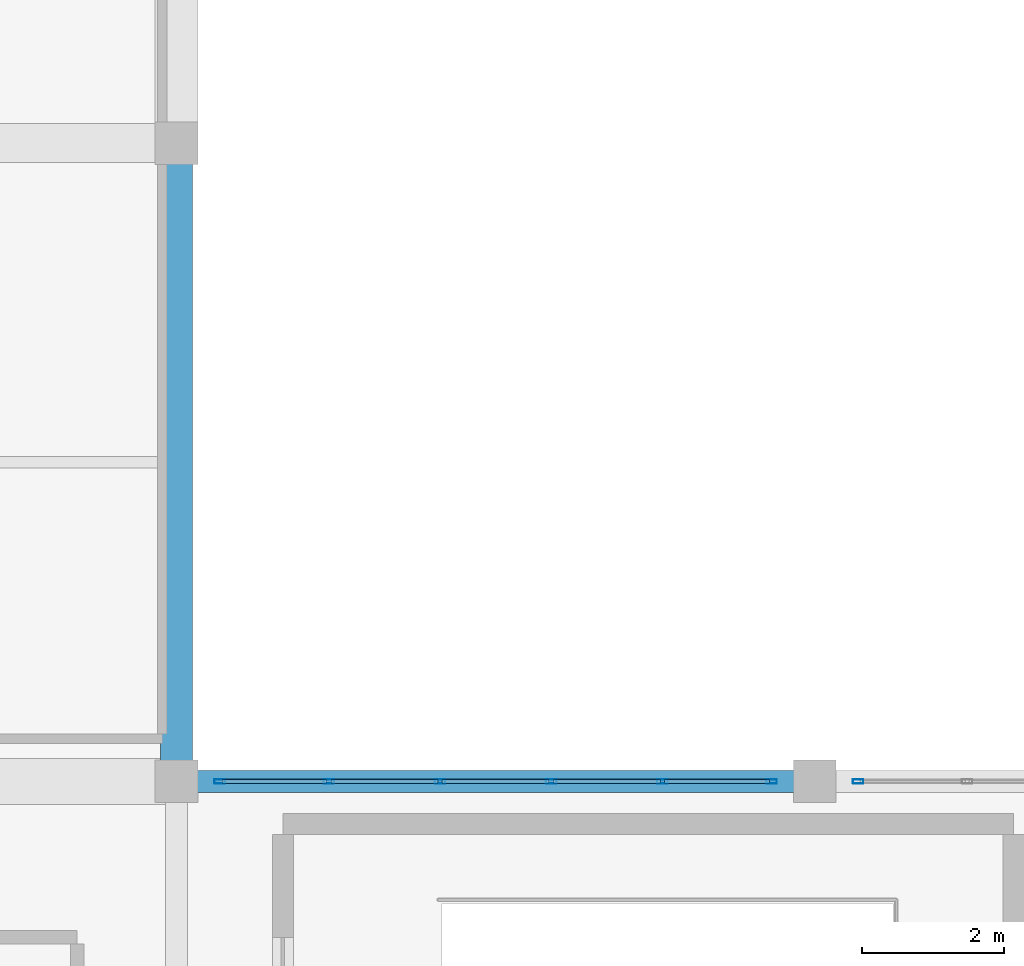
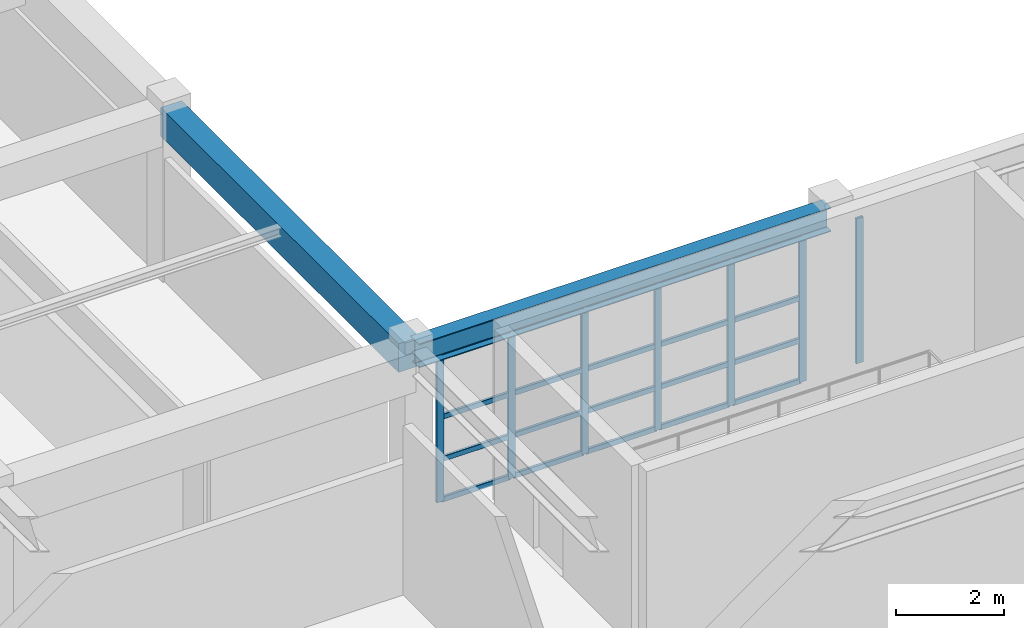
# One storey, part 41 of 130: 27 members, 2 beams, 2 elements without a shape of their own.
"""IFC4 building model written with IfcOpenShell, lengths in metres."""

from ifc_helpers import new_model, si_unit, direction, frame, origin, origin_2d, place, context, subcontext, project, spatial, rectangle, hollow_rectangle, i_section, extrude, material, material_profile, profile_set, type_object, element, aggregate, save


model = new_model("IFC4")

# Units and contexts
model_context = context("Model", 3, precision=1e-05, world=origin(), true_north=direction((0.0, 1.0)))
body_context = subcontext(model_context, "Body", "Model", "MODEL_VIEW")
ifc_project = project(units=[si_unit("LENGTHUNIT", "METRE"), si_unit("AREAUNIT", "SQUARE_METRE"), si_unit("VOLUMEUNIT", "CUBIC_METRE"), si_unit("PLANEANGLEUNIT", "RADIAN"), si_unit("MASSUNIT", "GRAM", prefix="KILO")], contexts=[model_context])

# Site, building, storey
site_placement = place(None, origin())
site = spatial("IfcSite", under=ifc_project, at=site_placement, CompositionType="ELEMENT")
building_placement = place(site_placement, origin())
building = spatial("IfcBuilding", under=site, at=building_placement, Name="Miravela Opera House", CompositionType="ELEMENT")
storey_placement = place(building_placement, frame((0.0, 0.0, 9.52001953125)))
storey = spatial("IfcBuildingStorey", under=building, at=storey_placement, Name="L02", CompositionType="ELEMENT", Elevation=9.52001953125)

# Curtain wall, members
ifc_material_1 = material(Name="Anodised architectural bronze aluminium 6063-T6", Category="aluminium")
curtain_wall_type = type_object("IfcCurtainWallType", Name="ARC-CW-06", PredefinedType="NOTDEFINED", material=ifc_material_1)
curtain_wall_1_placement = place(storey_placement, origin())
curtain_wall_1 = element("IfcCurtainWall", 1, at=curtain_wall_1_placement, inside=storey, type_object=curtain_wall_type, Name="Courtyard Arcade Curtain Wall CW-L02-183", PredefinedType="NOTDEFINED")
ifc_material_profile_1 = material_profile(ifc_material_1, hollow_rectangle(XDim=0.06005859375, YDim=0.14990234375, WallThickness=0.00390625, InnerFilletRadius=0.001953125, OuterFilletRadius=0.00390625, at=origin_2d()), Name="CWM-60X150")
ifc_profile_set_1 = profile_set([ifc_material_profile_1])
member_type_1 = type_object("IfcMemberType", Name="ARC-CWM-150", PredefinedType="MULLION", material=ifc_profile_set_1)
member_1_placement = place(storey_placement, frame((117.610107421875, 9.0, 0.0), z_axis=(0.0, 0.0, 1.0), x_axis=(0.0, 1.0, 0.0)))
member_1 = element("IfcMember", 2, at=member_1_placement, type_object=member_type_1, Name="CW-06 mullion 1", PredefinedType="MULLION", context=body_context, shape_type="SweptSolid", body=[
    extrude(hollow_rectangle(XDim=0.06005859375, YDim=0.14990234375, WallThickness=0.00390625, InnerFilletRadius=0.001953125, OuterFilletRadius=0.00390625, at=origin_2d()), origin(), (0.0, 0.0, 1.0), 3.2900390625),
])
member_2_placement = place(storey_placement, frame((119.14794921875, 9.0, 0.0), z_axis=(0.0, 0.0, 1.0), x_axis=(0.0, 1.0, 0.0)))
member_2 = element("IfcMember", 3, at=member_2_placement, type_object=member_type_1, Name="CW-06 mullion 2", PredefinedType="MULLION", context=body_context, shape_type="SweptSolid", body=[
    extrude(hollow_rectangle(XDim=0.06005859375, YDim=0.14990234375, WallThickness=0.00390625, InnerFilletRadius=0.001953125, OuterFilletRadius=0.00390625, at=origin_2d()), origin(), (0.0, 0.0, 1.0), 3.2900390625),
])
member_3_placement = place(storey_placement, frame((120.716064453125, 9.0, 0.0), z_axis=(0.0, 0.0, 1.0), x_axis=(0.0, 1.0, 0.0)))
member_3 = element("IfcMember", 4, at=member_3_placement, type_object=member_type_1, Name="CW-06 mullion 3", PredefinedType="MULLION", context=body_context, shape_type="SweptSolid", body=[
    extrude(hollow_rectangle(XDim=0.06005859375, YDim=0.14990234375, WallThickness=0.00390625, InnerFilletRadius=0.001953125, OuterFilletRadius=0.00390625, at=origin_2d()), origin(), (0.0, 0.0, 1.0), 3.2900390625),
])
member_4_placement = place(storey_placement, frame((122.283935546875, 9.0, 0.0), z_axis=(0.0, 0.0, 1.0), x_axis=(0.0, 1.0, 0.0)))
member_4 = element("IfcMember", 5, at=member_4_placement, type_object=member_type_1, Name="CW-06 mullion 4", PredefinedType="MULLION", context=body_context, shape_type="SweptSolid", body=[
    extrude(hollow_rectangle(XDim=0.06005859375, YDim=0.14990234375, WallThickness=0.00390625, InnerFilletRadius=0.001953125, OuterFilletRadius=0.00390625, at=origin_2d()), origin(), (0.0, 0.0, 1.0), 3.2900390625),
])
member_5_placement = place(storey_placement, frame((123.85205078125, 9.0, 0.0), z_axis=(0.0, 0.0, 1.0), x_axis=(0.0, 1.0, 0.0)))
member_5 = element("IfcMember", 6, at=member_5_placement, type_object=member_type_1, Name="CW-06 mullion 5", PredefinedType="MULLION", context=body_context, shape_type="SweptSolid", body=[
    extrude(hollow_rectangle(XDim=0.06005859375, YDim=0.14990234375, WallThickness=0.00390625, InnerFilletRadius=0.001953125, OuterFilletRadius=0.00390625, at=origin_2d()), origin(), (0.0, 0.0, 1.0), 3.2900390625),
])
member_6_placement = place(storey_placement, frame((125.389892578125, 9.0, 0.0), z_axis=(0.0, 0.0, 1.0), x_axis=(0.0, 1.0, 0.0)))
member_6 = element("IfcMember", 7, at=member_6_placement, type_object=member_type_1, Name="CW-06 mullion 6", PredefinedType="MULLION", context=body_context, shape_type="SweptSolid", body=[
    extrude(hollow_rectangle(XDim=0.06005859375, YDim=0.14990234375, WallThickness=0.00390625, InnerFilletRadius=0.001953125, OuterFilletRadius=0.00390625, at=origin_2d()), origin(), (0.0, 0.0, 1.0), 3.2900390625),
])

# Curtain wall, member
curtain_wall_2_placement = place(storey_placement, origin())
curtain_wall_2 = element("IfcCurtainWall", 8, at=curtain_wall_2_placement, inside=storey, type_object=curtain_wall_type, Name="Courtyard Arcade Curtain Wall CW-L02-187", PredefinedType="NOTDEFINED")
member_7_placement = place(storey_placement, frame((126.610107421875, 9.0, 0.0), z_axis=(0.0, 0.0, 1.0), x_axis=(0.0, 1.0, 0.0)))
member_7 = element("IfcMember", 9, at=member_7_placement, type_object=member_type_1, Name="CW-06 mullion 1", PredefinedType="MULLION", context=body_context, shape_type="SweptSolid", body=[
    extrude(hollow_rectangle(XDim=0.06005859375, YDim=0.14990234375, WallThickness=0.00390625, InnerFilletRadius=0.001953125, OuterFilletRadius=0.00390625, at=origin_2d()), origin(), (0.0, 0.0, 1.0), 3.2900390625),
])
aggregate(curtain_wall_2, [member_7])

# Member
ifc_material_profile_2 = material_profile(ifc_material_1, hollow_rectangle(XDim=0.06005859375, YDim=0.114990234375, WallThickness=0.00390625, InnerFilletRadius=0.001953125, OuterFilletRadius=0.00390625, at=origin_2d()), Name="CWT-60X115")
ifc_profile_set_2 = profile_set([ifc_material_profile_2])
member_type_2 = type_object("IfcMemberType", Name="ARC-CWT-115", PredefinedType="USERDEFINED", material=ifc_profile_set_2)
member_8_placement = place(storey_placement, frame((117.639892578125, 9.0, 0.030029296875), z_axis=(1.0, 0.0, 0.0), x_axis=(0.0, 1.0, 0.0)))
member_8 = element("IfcMember", 10, at=member_8_placement, type_object=member_type_2, Name="CW-06 transom 1.1", ObjectType="TRANSOM", PredefinedType="USERDEFINED", context=body_context, shape_type="SweptSolid", body=[
    extrude(hollow_rectangle(XDim=0.06005859375, YDim=0.114990234375, WallThickness=0.00390625, InnerFilletRadius=0.001953125, OuterFilletRadius=0.00390625, at=origin_2d()), origin(), (0.0, 0.0, 1.0), 1.47802734375),
])

member_9_placement = place(storey_placement, frame((117.639892578125, 9.0, 0.949951171875), z_axis=(1.0, 0.0, 0.0), x_axis=(0.0, 1.0, 0.0)))
member_9 = element("IfcMember", 11, at=member_9_placement, type_object=member_type_2, Name="CW-06 transom 1.2", ObjectType="TRANSOM", PredefinedType="USERDEFINED", context=body_context, shape_type="SweptSolid", body=[
    extrude(hollow_rectangle(XDim=0.06005859375, YDim=0.114990234375, WallThickness=0.00390625, InnerFilletRadius=0.001953125, OuterFilletRadius=0.00390625, at=origin_2d()), origin(), (0.0, 0.0, 1.0), 1.47802734375),
])

member_10_placement = place(storey_placement, frame((117.639892578125, 9.0, 1.908203125), z_axis=(1.0, 0.0, 0.0), x_axis=(0.0, 1.0, 0.0)))
member_10 = element("IfcMember", 12, at=member_10_placement, type_object=member_type_2, Name="CW-06 transom 1.3", ObjectType="TRANSOM", PredefinedType="USERDEFINED", context=body_context, shape_type="SweptSolid", body=[
    extrude(hollow_rectangle(XDim=0.06005859375, YDim=0.114990234375, WallThickness=0.00390625, InnerFilletRadius=0.001953125, OuterFilletRadius=0.00390625, at=origin_2d()), origin(), (0.0, 0.0, 1.0), 1.47802734375),
])

member_11_placement = place(storey_placement, frame((117.639892578125, 9.0, 3.260009765625), z_axis=(1.0, 0.0, 0.0), x_axis=(0.0, 1.0, 0.0)))
member_11 = element("IfcMember", 13, at=member_11_placement, type_object=member_type_2, Name="CW-06 transom 1.4", ObjectType="TRANSOM", PredefinedType="USERDEFINED", context=body_context, shape_type="SweptSolid", body=[
    extrude(hollow_rectangle(XDim=0.06005859375, YDim=0.114990234375, WallThickness=0.00390625, InnerFilletRadius=0.001953125, OuterFilletRadius=0.00390625, at=origin_2d()), origin(), (0.0, 0.0, 1.0), 1.47802734375),
])

member_12_placement = place(storey_placement, frame((119.177978515625, 9.0, 0.030029296875), z_axis=(1.0, 0.0, 0.0), x_axis=(0.0, 1.0, 0.0)))
member_12 = element("IfcMember", 14, at=member_12_placement, type_object=member_type_2, Name="CW-06 transom 2.1", ObjectType="TRANSOM", PredefinedType="USERDEFINED", context=body_context, shape_type="SweptSolid", body=[
    extrude(hollow_rectangle(XDim=0.06005859375, YDim=0.114990234375, WallThickness=0.00390625, InnerFilletRadius=0.001953125, OuterFilletRadius=0.00390625, at=origin_2d()), origin(), (0.0, 0.0, 1.0), 1.508056640625),
])

member_13_placement = place(storey_placement, frame((119.177978515625, 9.0, 0.949951171875), z_axis=(1.0, 0.0, 0.0), x_axis=(0.0, 1.0, 0.0)))
member_13 = element("IfcMember", 15, at=member_13_placement, type_object=member_type_2, Name="CW-06 transom 2.2", ObjectType="TRANSOM", PredefinedType="USERDEFINED", context=body_context, shape_type="SweptSolid", body=[
    extrude(hollow_rectangle(XDim=0.06005859375, YDim=0.114990234375, WallThickness=0.00390625, InnerFilletRadius=0.001953125, OuterFilletRadius=0.00390625, at=origin_2d()), origin(), (0.0, 0.0, 1.0), 1.508056640625),
])

member_14_placement = place(storey_placement, frame((119.177978515625, 9.0, 1.908203125), z_axis=(1.0, 0.0, 0.0), x_axis=(0.0, 1.0, 0.0)))
member_14 = element("IfcMember", 16, at=member_14_placement, type_object=member_type_2, Name="CW-06 transom 2.3", ObjectType="TRANSOM", PredefinedType="USERDEFINED", context=body_context, shape_type="SweptSolid", body=[
    extrude(hollow_rectangle(XDim=0.06005859375, YDim=0.114990234375, WallThickness=0.00390625, InnerFilletRadius=0.001953125, OuterFilletRadius=0.00390625, at=origin_2d()), origin(), (0.0, 0.0, 1.0), 1.508056640625),
])

member_15_placement = place(storey_placement, frame((119.177978515625, 9.0, 3.260009765625), z_axis=(1.0, 0.0, 0.0), x_axis=(0.0, 1.0, 0.0)))
member_15 = element("IfcMember", 17, at=member_15_placement, type_object=member_type_2, Name="CW-06 transom 2.4", ObjectType="TRANSOM", PredefinedType="USERDEFINED", context=body_context, shape_type="SweptSolid", body=[
    extrude(hollow_rectangle(XDim=0.06005859375, YDim=0.114990234375, WallThickness=0.00390625, InnerFilletRadius=0.001953125, OuterFilletRadius=0.00390625, at=origin_2d()), origin(), (0.0, 0.0, 1.0), 1.508056640625),
])

member_16_placement = place(storey_placement, frame((120.74609375, 9.0, 0.030029296875), z_axis=(1.0, 0.0, 0.0), x_axis=(0.0, 1.0, 0.0)))
member_16 = element("IfcMember", 18, at=member_16_placement, type_object=member_type_2, Name="CW-06 transom 3.1", ObjectType="TRANSOM", PredefinedType="USERDEFINED", context=body_context, shape_type="SweptSolid", body=[
    extrude(hollow_rectangle(XDim=0.06005859375, YDim=0.114990234375, WallThickness=0.00390625, InnerFilletRadius=0.001953125, OuterFilletRadius=0.00390625, at=origin_2d()), origin(), (0.0, 0.0, 1.0), 1.5078125),
])

member_17_placement = place(storey_placement, frame((120.74609375, 9.0, 0.949951171875), z_axis=(1.0, 0.0, 0.0), x_axis=(0.0, 1.0, 0.0)))
member_17 = element("IfcMember", 19, at=member_17_placement, type_object=member_type_2, Name="CW-06 transom 3.2", ObjectType="TRANSOM", PredefinedType="USERDEFINED", context=body_context, shape_type="SweptSolid", body=[
    extrude(hollow_rectangle(XDim=0.06005859375, YDim=0.114990234375, WallThickness=0.00390625, InnerFilletRadius=0.001953125, OuterFilletRadius=0.00390625, at=origin_2d()), origin(), (0.0, 0.0, 1.0), 1.5078125),
])

member_18_placement = place(storey_placement, frame((120.74609375, 9.0, 1.908203125), z_axis=(1.0, 0.0, 0.0), x_axis=(0.0, 1.0, 0.0)))
member_18 = element("IfcMember", 20, at=member_18_placement, type_object=member_type_2, Name="CW-06 transom 3.3", ObjectType="TRANSOM", PredefinedType="USERDEFINED", context=body_context, shape_type="SweptSolid", body=[
    extrude(hollow_rectangle(XDim=0.06005859375, YDim=0.114990234375, WallThickness=0.00390625, InnerFilletRadius=0.001953125, OuterFilletRadius=0.00390625, at=origin_2d()), origin(), (0.0, 0.0, 1.0), 1.5078125),
])

member_19_placement = place(storey_placement, frame((120.74609375, 9.0, 3.260009765625), z_axis=(1.0, 0.0, 0.0), x_axis=(0.0, 1.0, 0.0)))
member_19 = element("IfcMember", 21, at=member_19_placement, type_object=member_type_2, Name="CW-06 transom 3.4", ObjectType="TRANSOM", PredefinedType="USERDEFINED", context=body_context, shape_type="SweptSolid", body=[
    extrude(hollow_rectangle(XDim=0.06005859375, YDim=0.114990234375, WallThickness=0.00390625, InnerFilletRadius=0.001953125, OuterFilletRadius=0.00390625, at=origin_2d()), origin(), (0.0, 0.0, 1.0), 1.5078125),
])

member_20_placement = place(storey_placement, frame((122.31396484375, 9.0, 0.030029296875), z_axis=(1.0, 0.0, 0.0), x_axis=(0.0, 1.0, 0.0)))
member_20 = element("IfcMember", 22, at=member_20_placement, type_object=member_type_2, Name="CW-06 transom 4.1", ObjectType="TRANSOM", PredefinedType="USERDEFINED", context=body_context, shape_type="SweptSolid", body=[
    extrude(hollow_rectangle(XDim=0.06005859375, YDim=0.114990234375, WallThickness=0.00390625, InnerFilletRadius=0.001953125, OuterFilletRadius=0.00390625, at=origin_2d()), origin(), (0.0, 0.0, 1.0), 1.508056640625),
])

member_21_placement = place(storey_placement, frame((122.31396484375, 9.0, 0.949951171875), z_axis=(1.0, 0.0, 0.0), x_axis=(0.0, 1.0, 0.0)))
member_21 = element("IfcMember", 23, at=member_21_placement, type_object=member_type_2, Name="CW-06 transom 4.2", ObjectType="TRANSOM", PredefinedType="USERDEFINED", context=body_context, shape_type="SweptSolid", body=[
    extrude(hollow_rectangle(XDim=0.06005859375, YDim=0.114990234375, WallThickness=0.00390625, InnerFilletRadius=0.001953125, OuterFilletRadius=0.00390625, at=origin_2d()), origin(), (0.0, 0.0, 1.0), 1.508056640625),
])

member_22_placement = place(storey_placement, frame((122.31396484375, 9.0, 1.908203125), z_axis=(1.0, 0.0, 0.0), x_axis=(0.0, 1.0, 0.0)))
member_22 = element("IfcMember", 24, at=member_22_placement, type_object=member_type_2, Name="CW-06 transom 4.3", ObjectType="TRANSOM", PredefinedType="USERDEFINED", context=body_context, shape_type="SweptSolid", body=[
    extrude(hollow_rectangle(XDim=0.06005859375, YDim=0.114990234375, WallThickness=0.00390625, InnerFilletRadius=0.001953125, OuterFilletRadius=0.00390625, at=origin_2d()), origin(), (0.0, 0.0, 1.0), 1.508056640625),
])

member_23_placement = place(storey_placement, frame((122.31396484375, 9.0, 3.260009765625), z_axis=(1.0, 0.0, 0.0), x_axis=(0.0, 1.0, 0.0)))
member_23 = element("IfcMember", 25, at=member_23_placement, type_object=member_type_2, Name="CW-06 transom 4.4", ObjectType="TRANSOM", PredefinedType="USERDEFINED", context=body_context, shape_type="SweptSolid", body=[
    extrude(hollow_rectangle(XDim=0.06005859375, YDim=0.114990234375, WallThickness=0.00390625, InnerFilletRadius=0.001953125, OuterFilletRadius=0.00390625, at=origin_2d()), origin(), (0.0, 0.0, 1.0), 1.508056640625),
])

member_24_placement = place(storey_placement, frame((123.882080078125, 9.0, 0.030029296875), z_axis=(1.0, 0.0, 0.0), x_axis=(0.0, 1.0, 0.0)))
member_24 = element("IfcMember", 26, at=member_24_placement, type_object=member_type_2, Name="CW-06 transom 5.1", ObjectType="TRANSOM", PredefinedType="USERDEFINED", context=body_context, shape_type="SweptSolid", body=[
    extrude(hollow_rectangle(XDim=0.06005859375, YDim=0.114990234375, WallThickness=0.00390625, InnerFilletRadius=0.001953125, OuterFilletRadius=0.00390625, at=origin_2d()), origin(), (0.0, 0.0, 1.0), 1.47802734375),
])

member_25_placement = place(storey_placement, frame((123.882080078125, 9.0, 0.949951171875), z_axis=(1.0, 0.0, 0.0), x_axis=(0.0, 1.0, 0.0)))
member_25 = element("IfcMember", 27, at=member_25_placement, type_object=member_type_2, Name="CW-06 transom 5.2", ObjectType="TRANSOM", PredefinedType="USERDEFINED", context=body_context, shape_type="SweptSolid", body=[
    extrude(hollow_rectangle(XDim=0.06005859375, YDim=0.114990234375, WallThickness=0.00390625, InnerFilletRadius=0.001953125, OuterFilletRadius=0.00390625, at=origin_2d()), origin(), (0.0, 0.0, 1.0), 1.47802734375),
])

member_26_placement = place(storey_placement, frame((123.882080078125, 9.0, 1.908203125), z_axis=(1.0, 0.0, 0.0), x_axis=(0.0, 1.0, 0.0)))
member_26 = element("IfcMember", 28, at=member_26_placement, type_object=member_type_2, Name="CW-06 transom 5.3", ObjectType="TRANSOM", PredefinedType="USERDEFINED", context=body_context, shape_type="SweptSolid", body=[
    extrude(hollow_rectangle(XDim=0.06005859375, YDim=0.114990234375, WallThickness=0.00390625, InnerFilletRadius=0.001953125, OuterFilletRadius=0.00390625, at=origin_2d()), origin(), (0.0, 0.0, 1.0), 1.47802734375),
])

member_27_placement = place(storey_placement, frame((123.882080078125, 9.0, 3.260009765625), z_axis=(1.0, 0.0, 0.0), x_axis=(0.0, 1.0, 0.0)))
member_27 = element("IfcMember", 29, at=member_27_placement, type_object=member_type_2, Name="CW-06 transom 5.4", ObjectType="TRANSOM", PredefinedType="USERDEFINED", context=body_context, shape_type="SweptSolid", body=[
    extrude(hollow_rectangle(XDim=0.06005859375, YDim=0.114990234375, WallThickness=0.00390625, InnerFilletRadius=0.001953125, OuterFilletRadius=0.00390625, at=origin_2d()), origin(), (0.0, 0.0, 1.0), 1.47802734375),
])

aggregate(curtain_wall_1, [member_1, member_2, member_3, member_4, member_5, member_6, member_8, member_9, member_10, member_11, member_12, member_13, member_14, member_15, member_16, member_17, member_18, member_19, member_20, member_21, member_22, member_23, member_24, member_25, member_26, member_27])

# Beams
ifc_material_2 = material(Name="Concrete C35/45", Category="concrete")
ifc_material_profile_3 = material_profile(ifc_material_2, rectangle(XDim=0.449951171875, YDim=0.64990234375, at=origin_2d()), Name="RC-BM-450X650")
ifc_profile_set_3 = profile_set([ifc_material_profile_3])
beam_type_1 = type_object("IfcBeamType", Name="STR-BM-RC450X650", PredefinedType="BEAM", material=ifc_profile_set_3)
beam_1_placement = place(storey_placement, frame((117.0, 9.080078125, 3.48486328125), z_axis=(0.0, 1.0, 0.0), x_axis=(-1.0, 0.0, 0.0)))
element("IfcBeam", 30, at=beam_1_placement, inside=storey, type_object=beam_type_1, Name="Floor Girder L02 14/B-C", PredefinedType="BEAM", context=body_context, shape_type="SweptSolid", body=[
    extrude(rectangle(XDim=0.449951171875, YDim=0.64990234375, at=origin_2d()), origin(), (0.0, 0.0, 1.0), 8.83984375),
])
ifc_material_3 = material(Name="Structural steel ASTM A992 Gr. 50", Category="steel")
ifc_material_profile_4 = material_profile(ifc_material_3, i_section(OverallWidth=0.31201171875, OverallDepth=0.54296875, WebThickness=0.0126953125, FlangeThickness=0.020263671875, FilletRadius=0.01611328125, at=origin_2d()), Name="W530X150")
ifc_profile_set_4 = profile_set([ifc_material_profile_4])
beam_type_2 = type_object("IfcBeamType", Name="STR-BM-W530X150", PredefinedType="BEAM", material=ifc_profile_set_4)
beam_2_placement = place(storey_placement, frame((117.080078125, 9.0, 3.568359375), z_axis=(1.0, 0.0, 0.0), x_axis=(0.0, 1.0, 0.0)))
element("IfcBeam", 31, at=beam_2_placement, inside=storey, type_object=beam_type_2, Name="Roof Eave Girder ROOF-V4-SE N4", PredefinedType="BEAM", context=body_context, shape_type="SweptSolid", body=[
    extrude(i_section(OverallWidth=0.31201171875, OverallDepth=0.54296875, WebThickness=0.0126953125, FlangeThickness=0.020263671875, FilletRadius=0.01611328125, at=origin_2d()), origin(), (0.0, 0.0, 1.0), 8.83984375),
])

save(model, "model.ifc")
